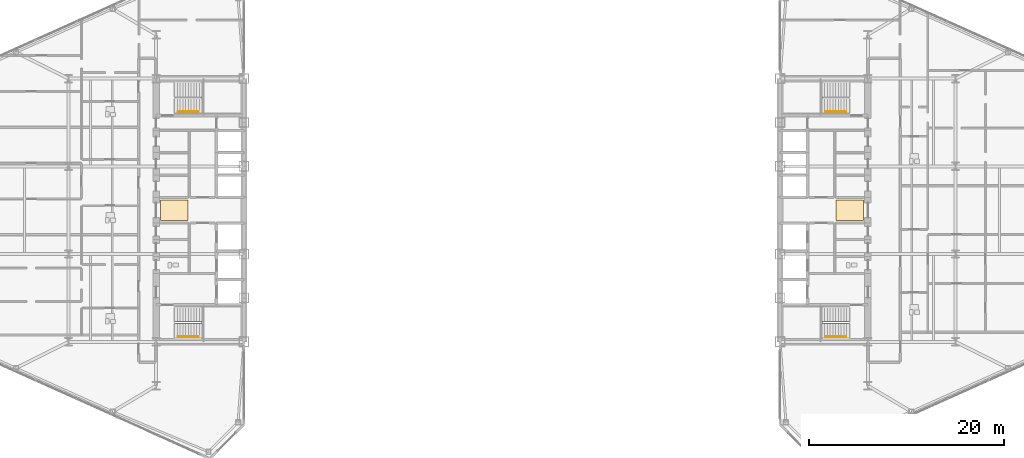
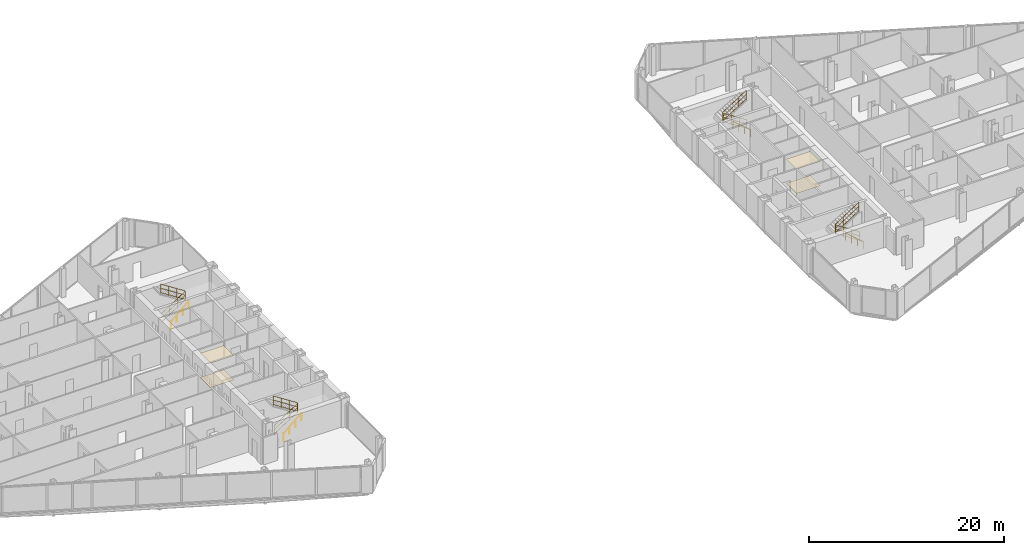
# One storey, part 26 of 27: 8 railings, 4 coverings.
"""IFC4 building model written with IfcOpenShell, lengths in metres."""

from ifc_helpers import new_model, si_unit, direction, frame, origin, origin_2d, place, context, subcontext, project, spatial, polyline, circle, outline, extrude, material, layer, layer_set, type_object, element, save


model = new_model("IFC4")

# Units and contexts
model_context = context("Model", 3, precision=1e-05, world=origin(), true_north=direction((0.0, 1.0)))
body_context = subcontext(model_context, "Body", "Model", "MODEL_VIEW")
ifc_project = project(units=[si_unit("LENGTHUNIT", "METRE"), si_unit("AREAUNIT", "SQUARE_METRE"), si_unit("VOLUMEUNIT", "CUBIC_METRE"), si_unit("PLANEANGLEUNIT", "RADIAN"), si_unit("MASSUNIT", "GRAM", prefix="KILO")], contexts=[model_context])

# Site, building, storey
site_placement = place(None, origin())
site = spatial("IfcSite", under=ifc_project, at=site_placement, CompositionType="ELEMENT")
building_placement = place(site_placement, origin())
building = spatial("IfcBuilding", under=site, at=building_placement, Name="Seokmaru Belvedere", CompositionType="ELEMENT")
storey_placement = place(building_placement, frame((0.0, 0.0, 99.60009765625)))
storey = spatial("IfcBuildingStorey", under=building, at=storey_placement, Name="L26", CompositionType="ELEMENT", Elevation=99.60009765625)

# Coverings
ifc_material_1 = material(Name="Engineered White Oak Timber", Category="wood")
ifc_layer_1 = layer(ifc_material_1, 0.02197265625)
ifc_layer_set_1 = layer_set([ifc_layer_1], Name="Engineered White Oak Timber")
covering_type_1 = type_object("IfcCoveringType", Name="Engineered Oak Residence Floor Finish 22", PredefinedType="FLOORING", material=ifc_layer_set_1)
covering_1_placement = place(storey_placement, origin())
element("IfcCovering", 1, at=covering_1_placement, inside=storey, type_object=covering_type_1, Name="L26 W Foyer Floor Finish", PredefinedType="FLOORING", context=body_context, shape_type="SweptSolid", body=[
    extrude(outline(polyline([(-36.050048828125, -1.050048828125), (-33.25, -1.050048828125), (-33.25, 1.050048828125), (-36.050048828125, 1.050048828125), (-36.050048828125, -1.050048828125)])), origin(), (0.0, 0.0, 1.0), 0.02197265625),
])
covering_2_placement = place(storey_placement, origin())
element("IfcCovering", 2, at=covering_2_placement, inside=storey, type_object=covering_type_1, Name="L26 E Foyer Floor Finish", PredefinedType="FLOORING", context=body_context, shape_type="SweptSolid", body=[
    extrude(outline(polyline([(33.25, -1.050048828125), (36.050048828125, -1.050048828125), (36.050048828125, 1.050048828125), (33.25, 1.050048828125), (33.25, -1.050048828125)])), origin(), (0.0, 0.0, 1.0), 0.02197265625),
])
ifc_material_2 = material(Name="Fire-Rated Gypsum Shaftwall")
ifc_layer_2 = layer(ifc_material_2, 0.02490234375)
ifc_layer_set_2 = layer_set([ifc_layer_2], Name="Fire-Rated Gypsum Shaftwall")
covering_type_2 = type_object("IfcCoveringType", Name="Perforated Acoustic Gypsum Suspended Ceiling 25", PredefinedType="CEILING", material=ifc_layer_set_2)
covering_3_placement = place(storey_placement, frame((0.0, 0.0, 3.02978515625)))
element("IfcCovering", 3, at=covering_3_placement, inside=storey, type_object=covering_type_2, Name="L26 W Lift Foyer Acoustic Ceiling", PredefinedType="CEILING", context=body_context, shape_type="SweptSolid", body=[
    extrude(outline(polyline([(-36.050048828125, -1.050048828125), (-33.25, -1.050048828125), (-33.25, 1.050048828125), (-36.050048828125, 1.050048828125), (-36.050048828125, -1.050048828125)])), origin(), (0.0, 0.0, 1.0), 0.025146484375),
])
covering_4_placement = place(storey_placement, frame((0.0, 0.0, 3.02978515625)))
element("IfcCovering", 4, at=covering_4_placement, inside=storey, type_object=covering_type_2, Name="L26 E Lift Foyer Acoustic Ceiling", PredefinedType="CEILING", context=body_context, shape_type="SweptSolid", body=[
    extrude(outline(polyline([(33.25, -1.050048828125), (36.050048828125, -1.050048828125), (36.050048828125, 1.050048828125), (33.25, 1.050048828125), (33.25, -1.050048828125)])), origin(), (0.0, 0.0, 1.0), 0.025146484375),
])

# Railings
ifc_material_3 = material(Name="Stainless Steel 316", Category="steel")
railing_type_1 = type_object("IfcRailingType", Name="Stainless Steel Wall and Flight Handrail 900", PredefinedType="HANDRAIL", material=ifc_material_3)
for number, where, name in (
    (5, (-34.25, -12.949951171875, 0.0), "L26 Stair ST-W1 Wall Handrail"),
    (6, (-34.25, 10.110107421875, 0.0), "L26 Stair ST-W2 Wall Handrail"),
):
    element("IfcRailing", number, at=place(storey_placement, frame(where)), inside=storey, type_object=railing_type_1, Name=name, PredefinedType="HANDRAIL", context=body_context, shape_type="SweptSolid", body=[
        extrude(circle(Radius=0.02392578125, at=origin_2d()), frame((0.0, 0.0, 0.8759765625), z_axis=(0.759306447245, 0.0, 0.650733216588), x_axis=(0.0, 1.0, 0.0)), (0.0, 0.0, 1.0), 2.765869140625),
        extrude(circle(Radius=0.02099609375, at=origin_2d()), origin(), (0.0, 0.0, 1.0), 0.851806640625),
        extrude(circle(Radius=0.02099609375, at=origin_2d()), frame((0.699951171875, 0.0, 0.599853515625)), (0.0, 0.0, 1.0), 0.851806640625),
        extrude(circle(Radius=0.02099609375, at=origin_2d()), frame((1.400146484375, 0.0, 1.199951171875)), (0.0, 0.0, 1.0), 0.851806640625),
        extrude(circle(Radius=0.02099609375, at=origin_2d()), frame((2.10009765625, 0.0, 1.7998046875)), (0.0, 0.0, 1.0), 0.851806640625),
    ])
for number, where, name in (
    (7, (34.25, -12.949951171875, 0.0), "L26 Stair ST-E1 Wall Handrail"),
    (8, (34.25, 10.110107421875, 0.0), "L26 Stair ST-E2 Wall Handrail"),
):
    element("IfcRailing", number, at=place(storey_placement, frame(where)), inside=storey, type_object=railing_type_1, Name=name, PredefinedType="HANDRAIL", context=body_context, shape_type="SweptSolid", body=[
        extrude(circle(Radius=0.02392578125, at=origin_2d()), frame((0.0, 0.0, 0.8759765625), z_axis=(-0.759306447245, 0.0, 0.650733216588), x_axis=(0.0, -1.0, 0.0)), (0.0, 0.0, 1.0), 2.765869140625),
        extrude(circle(Radius=0.02099609375, at=origin_2d()), origin(), (0.0, 0.0, 1.0), 0.851806640625),
        extrude(circle(Radius=0.02099609375, at=origin_2d()), frame((-0.699951171875, 0.0, 0.599853515625)), (0.0, 0.0, 1.0), 0.851806640625),
        extrude(circle(Radius=0.02099609375, at=origin_2d()), frame((-1.400146484375, 0.0, 1.199951171875)), (0.0, 0.0, 1.0), 0.851806640625),
        extrude(circle(Radius=0.02099609375, at=origin_2d()), frame((-2.10009765625, 0.0, 1.7998046875)), (0.0, 0.0, 1.0), 0.851806640625),
    ])
railing_type_2 = type_object("IfcRailingType", Name="Stair Well and Atrium Steel Guardrail 1200", PredefinedType="GUARDRAIL", material=ifc_material_3)
railing_1_placement = place(storey_placement, frame((-34.60009765625, -11.60009765625, 0.0)))
element("IfcRailing", 9, at=railing_1_placement, inside=storey, type_object=railing_type_2, Name="L26 Stair ST-W1 Inner Well Guardrail", PredefinedType="GUARDRAIL", context=body_context, shape_type="SweptSolid", body=[
    extrude(circle(Radius=0.02392578125, at=origin_2d()), frame((0.0, 0.0, 1.17578125), z_axis=(0.841209454229, 0.0, 0.540709398952), x_axis=(0.0, 1.0, 0.0)), (0.0, 0.0, 1.0), 3.32861328125),
    extrude(circle(Radius=0.02392578125, at=origin_2d()), frame((0.0, 0.0, 0.1201171875), z_axis=(0.841209454229, 0.0, 0.540709398952), x_axis=(0.0, 1.0, 0.0)), (0.0, 0.0, 1.0), 3.32861328125),
    extrude(circle(Radius=0.02392578125, at=origin_2d()), frame((0.0, 0.0, 0.659912109375), z_axis=(0.841209454229, 0.0, 0.540709398952), x_axis=(0.0, 1.0, 0.0)), (0.0, 0.0, 1.0), 3.32861328125),
    extrude(circle(Radius=0.02392578125, at=origin_2d()), frame((2.800048828125, 0.0, 2.9755859375), z_axis=(0.0, 1.0, 0.0), x_axis=(-1.0, 0.0, 0.0)), (0.0, 0.0, 1.0), 0.14013671875),
    extrude(circle(Radius=0.02392578125, at=origin_2d()), frame((2.800048828125, 0.0, 1.919921875), z_axis=(0.0, 1.0, 0.0), x_axis=(-1.0, 0.0, 0.0)), (0.0, 0.0, 1.0), 0.14013671875),
    extrude(circle(Radius=0.02392578125, at=origin_2d()), frame((2.800048828125, 0.0, 2.459716796875), z_axis=(0.0, 1.0, 0.0), x_axis=(-1.0, 0.0, 0.0)), (0.0, 0.0, 1.0), 0.14013671875),
    extrude(circle(Radius=0.02392578125, at=origin_2d()), frame((2.800048828125, 0.14013671875, 2.9755859375), z_axis=(-0.841176092368, 0.0, 0.540761298198), x_axis=(0.0, -1.0, 0.0)), (0.0, 0.0, 1.0), 3.32861328125),
    extrude(circle(Radius=0.02392578125, at=origin_2d()), frame((2.800048828125, 0.14013671875, 1.919921875), z_axis=(-0.841176092368, 0.0, 0.540761298198), x_axis=(0.0, -1.0, 0.0)), (0.0, 0.0, 1.0), 3.32861328125),
    extrude(circle(Radius=0.02392578125, at=origin_2d()), frame((2.800048828125, 0.14013671875, 2.459716796875), z_axis=(-0.841176092368, 0.0, 0.540761298198), x_axis=(0.0, -1.0, 0.0)), (0.0, 0.0, 1.0), 3.32861328125),
    extrude(circle(Radius=0.02099609375, at=origin_2d()), origin(), (0.0, 0.0, 1.0), 1.15185546875),
    extrude(circle(Radius=0.02099609375, at=origin_2d()), frame((0.933349609375, 0.0, 0.599853515625)), (0.0, 0.0, 1.0), 1.15185546875),
    extrude(circle(Radius=0.02099609375, at=origin_2d()), frame((1.86669921875, 0.0, 1.199951171875)), (0.0, 0.0, 1.0), 1.15185546875),
    extrude(circle(Radius=0.02099609375, at=origin_2d()), frame((2.800048828125, 0.0, 1.7998046875)), (0.0, 0.0, 1.0), 1.15185546875),
    extrude(circle(Radius=0.02099609375, at=origin_2d()), frame((2.800048828125, 0.14013671875, 1.7998046875)), (0.0, 0.0, 1.0), 1.15185546875),
    extrude(circle(Radius=0.02099609375, at=origin_2d()), frame((1.86669921875, 0.14013671875, 2.39990234375)), (0.0, 0.0, 1.0), 1.15185546875),
    extrude(circle(Radius=0.02099609375, at=origin_2d()), frame((0.933349609375, 0.14013671875, 2.999755859375)), (0.0, 0.0, 1.0), 1.15185546875),
    extrude(circle(Radius=0.02099609375, at=origin_2d()), frame((0.0, 0.14013671875, 3.599853515625)), (0.0, 0.0, 1.0), 1.15185546875),
])
railing_2_placement = place(storey_placement, frame((-34.60009765625, 11.4599609375, 0.0)))
element("IfcRailing", 10, at=railing_2_placement, inside=storey, type_object=railing_type_2, Name="L26 Stair ST-W2 Inner Well Guardrail", PredefinedType="GUARDRAIL", context=body_context, shape_type="SweptSolid", body=[
    extrude(circle(Radius=0.02392578125, at=origin_2d()), frame((0.0, 0.0, 1.17578125), z_axis=(0.841209454229, 0.0, 0.540709398952), x_axis=(0.0, 1.0, 0.0)), (0.0, 0.0, 1.0), 3.32861328125),
    extrude(circle(Radius=0.02392578125, at=origin_2d()), frame((0.0, 0.0, 0.1201171875), z_axis=(0.841209454229, 0.0, 0.540709398952), x_axis=(0.0, 1.0, 0.0)), (0.0, 0.0, 1.0), 3.32861328125),
    extrude(circle(Radius=0.02392578125, at=origin_2d()), frame((0.0, 0.0, 0.659912109375), z_axis=(0.841209454229, 0.0, 0.540709398952), x_axis=(0.0, 1.0, 0.0)), (0.0, 0.0, 1.0), 3.32861328125),
    extrude(circle(Radius=0.02392578125, at=origin_2d()), frame((2.800048828125, 0.0, 2.9755859375), z_axis=(0.0, 1.0, 0.0), x_axis=(-1.0, 0.0, 0.0)), (0.0, 0.0, 1.0), 0.14013671875),
    extrude(circle(Radius=0.02392578125, at=origin_2d()), frame((2.800048828125, 0.0, 1.919921875), z_axis=(0.0, 1.0, 0.0), x_axis=(-1.0, 0.0, 0.0)), (0.0, 0.0, 1.0), 0.14013671875),
    extrude(circle(Radius=0.02392578125, at=origin_2d()), frame((2.800048828125, 0.0, 2.459716796875), z_axis=(0.0, 1.0, 0.0), x_axis=(-1.0, 0.0, 0.0)), (0.0, 0.0, 1.0), 0.14013671875),
    extrude(circle(Radius=0.02392578125, at=origin_2d()), frame((2.800048828125, 0.14013671875, 2.9755859375), z_axis=(-0.841176092368, 0.0, 0.540761298198), x_axis=(0.0, -1.0, 0.0)), (0.0, 0.0, 1.0), 3.32861328125),
    extrude(circle(Radius=0.02392578125, at=origin_2d()), frame((2.800048828125, 0.14013671875, 1.919921875), z_axis=(-0.841176092368, 0.0, 0.540761298198), x_axis=(0.0, -1.0, 0.0)), (0.0, 0.0, 1.0), 3.32861328125),
    extrude(circle(Radius=0.02392578125, at=origin_2d()), frame((2.800048828125, 0.14013671875, 2.459716796875), z_axis=(-0.841176092368, 0.0, 0.540761298198), x_axis=(0.0, -1.0, 0.0)), (0.0, 0.0, 1.0), 3.32861328125),
    extrude(circle(Radius=0.02099609375, at=origin_2d()), origin(), (0.0, 0.0, 1.0), 1.15185546875),
    extrude(circle(Radius=0.02099609375, at=origin_2d()), frame((0.933349609375, 0.0, 0.599853515625)), (0.0, 0.0, 1.0), 1.15185546875),
    extrude(circle(Radius=0.02099609375, at=origin_2d()), frame((1.86669921875, 0.0, 1.199951171875)), (0.0, 0.0, 1.0), 1.15185546875),
    extrude(circle(Radius=0.02099609375, at=origin_2d()), frame((2.800048828125, 0.0, 1.7998046875)), (0.0, 0.0, 1.0), 1.15185546875),
    extrude(circle(Radius=0.02099609375, at=origin_2d()), frame((2.800048828125, 0.14013671875, 1.7998046875)), (0.0, 0.0, 1.0), 1.15185546875),
    extrude(circle(Radius=0.02099609375, at=origin_2d()), frame((1.86669921875, 0.14013671875, 2.39990234375)), (0.0, 0.0, 1.0), 1.15185546875),
    extrude(circle(Radius=0.02099609375, at=origin_2d()), frame((0.933349609375, 0.14013671875, 2.999755859375)), (0.0, 0.0, 1.0), 1.15185546875),
    extrude(circle(Radius=0.02099609375, at=origin_2d()), frame((0.0, 0.14013671875, 3.599853515625)), (0.0, 0.0, 1.0), 1.15185546875),
])
railing_3_placement = place(storey_placement, frame((34.60009765625, -11.60009765625, 0.0)))
element("IfcRailing", 11, at=railing_3_placement, inside=storey, type_object=railing_type_2, Name="L26 Stair ST-E1 Inner Well Guardrail", PredefinedType="GUARDRAIL", context=body_context, shape_type="SweptSolid", body=[
    extrude(circle(Radius=0.02392578125, at=origin_2d()), frame((0.0, 0.0, 1.17578125), z_axis=(-0.841209454229, 0.0, 0.540709398952), x_axis=(0.0, -1.0, 0.0)), (0.0, 0.0, 1.0), 3.32861328125),
    extrude(circle(Radius=0.02392578125, at=origin_2d()), frame((0.0, 0.0, 0.1201171875), z_axis=(-0.841209454229, 0.0, 0.540709398952), x_axis=(0.0, -1.0, 0.0)), (0.0, 0.0, 1.0), 3.32861328125),
    extrude(circle(Radius=0.02392578125, at=origin_2d()), frame((0.0, 0.0, 0.659912109375), z_axis=(-0.841209454229, 0.0, 0.540709398952), x_axis=(0.0, -1.0, 0.0)), (0.0, 0.0, 1.0), 3.32861328125),
    extrude(circle(Radius=0.02392578125, at=origin_2d()), frame((-2.800048828125, 0.0, 2.9755859375), z_axis=(0.0, 1.0, 0.0), x_axis=(-1.0, 0.0, 0.0)), (0.0, 0.0, 1.0), 0.14013671875),
    extrude(circle(Radius=0.02392578125, at=origin_2d()), frame((-2.800048828125, 0.0, 1.919921875), z_axis=(0.0, 1.0, 0.0), x_axis=(-1.0, 0.0, 0.0)), (0.0, 0.0, 1.0), 0.14013671875),
    extrude(circle(Radius=0.02392578125, at=origin_2d()), frame((-2.800048828125, 0.0, 2.459716796875), z_axis=(0.0, 1.0, 0.0), x_axis=(-1.0, 0.0, 0.0)), (0.0, 0.0, 1.0), 0.14013671875),
    extrude(circle(Radius=0.02392578125, at=origin_2d()), frame((-2.800048828125, 0.14013671875, 2.9755859375), z_axis=(0.841176092368, 0.0, 0.540761298198), x_axis=(0.0, 1.0, 0.0)), (0.0, 0.0, 1.0), 3.32861328125),
    extrude(circle(Radius=0.02392578125, at=origin_2d()), frame((-2.800048828125, 0.14013671875, 1.919921875), z_axis=(0.841176092368, 0.0, 0.540761298198), x_axis=(0.0, 1.0, 0.0)), (0.0, 0.0, 1.0), 3.32861328125),
    extrude(circle(Radius=0.02392578125, at=origin_2d()), frame((-2.800048828125, 0.14013671875, 2.459716796875), z_axis=(0.841176092368, 0.0, 0.540761298198), x_axis=(0.0, 1.0, 0.0)), (0.0, 0.0, 1.0), 3.32861328125),
    extrude(circle(Radius=0.02099609375, at=origin_2d()), origin(), (0.0, 0.0, 1.0), 1.15185546875),
    extrude(circle(Radius=0.02099609375, at=origin_2d()), frame((-0.933349609375, 0.0, 0.599853515625)), (0.0, 0.0, 1.0), 1.15185546875),
    extrude(circle(Radius=0.02099609375, at=origin_2d()), frame((-1.86669921875, 0.0, 1.199951171875)), (0.0, 0.0, 1.0), 1.15185546875),
    extrude(circle(Radius=0.02099609375, at=origin_2d()), frame((-2.800048828125, 0.0, 1.7998046875)), (0.0, 0.0, 1.0), 1.15185546875),
    extrude(circle(Radius=0.02099609375, at=origin_2d()), frame((-2.800048828125, 0.14013671875, 1.7998046875)), (0.0, 0.0, 1.0), 1.15185546875),
    extrude(circle(Radius=0.02099609375, at=origin_2d()), frame((-1.86669921875, 0.14013671875, 2.39990234375)), (0.0, 0.0, 1.0), 1.15185546875),
    extrude(circle(Radius=0.02099609375, at=origin_2d()), frame((-0.933349609375, 0.14013671875, 2.999755859375)), (0.0, 0.0, 1.0), 1.15185546875),
    extrude(circle(Radius=0.02099609375, at=origin_2d()), frame((0.0, 0.14013671875, 3.599853515625)), (0.0, 0.0, 1.0), 1.15185546875),
])
railing_4_placement = place(storey_placement, frame((34.60009765625, 11.4599609375, 0.0)))
element("IfcRailing", 12, at=railing_4_placement, inside=storey, type_object=railing_type_2, Name="L26 Stair ST-E2 Inner Well Guardrail", PredefinedType="GUARDRAIL", context=body_context, shape_type="SweptSolid", body=[
    extrude(circle(Radius=0.02392578125, at=origin_2d()), frame((0.0, 0.0, 1.17578125), z_axis=(-0.841209454229, 0.0, 0.540709398952), x_axis=(0.0, -1.0, 0.0)), (0.0, 0.0, 1.0), 3.32861328125),
    extrude(circle(Radius=0.02392578125, at=origin_2d()), frame((0.0, 0.0, 0.1201171875), z_axis=(-0.841209454229, 0.0, 0.540709398952), x_axis=(0.0, -1.0, 0.0)), (0.0, 0.0, 1.0), 3.32861328125),
    extrude(circle(Radius=0.02392578125, at=origin_2d()), frame((0.0, 0.0, 0.659912109375), z_axis=(-0.841209454229, 0.0, 0.540709398952), x_axis=(0.0, -1.0, 0.0)), (0.0, 0.0, 1.0), 3.32861328125),
    extrude(circle(Radius=0.02392578125, at=origin_2d()), frame((-2.800048828125, 0.0, 2.9755859375), z_axis=(0.0, 1.0, 0.0), x_axis=(-1.0, 0.0, 0.0)), (0.0, 0.0, 1.0), 0.14013671875),
    extrude(circle(Radius=0.02392578125, at=origin_2d()), frame((-2.800048828125, 0.0, 1.919921875), z_axis=(0.0, 1.0, 0.0), x_axis=(-1.0, 0.0, 0.0)), (0.0, 0.0, 1.0), 0.14013671875),
    extrude(circle(Radius=0.02392578125, at=origin_2d()), frame((-2.800048828125, 0.0, 2.459716796875), z_axis=(0.0, 1.0, 0.0), x_axis=(-1.0, 0.0, 0.0)), (0.0, 0.0, 1.0), 0.14013671875),
    extrude(circle(Radius=0.02392578125, at=origin_2d()), frame((-2.800048828125, 0.14013671875, 2.9755859375), z_axis=(0.841176092368, 0.0, 0.540761298198), x_axis=(0.0, 1.0, 0.0)), (0.0, 0.0, 1.0), 3.32861328125),
    extrude(circle(Radius=0.02392578125, at=origin_2d()), frame((-2.800048828125, 0.14013671875, 1.919921875), z_axis=(0.841176092368, 0.0, 0.540761298198), x_axis=(0.0, 1.0, 0.0)), (0.0, 0.0, 1.0), 3.32861328125),
    extrude(circle(Radius=0.02392578125, at=origin_2d()), frame((-2.800048828125, 0.14013671875, 2.459716796875), z_axis=(0.841176092368, 0.0, 0.540761298198), x_axis=(0.0, 1.0, 0.0)), (0.0, 0.0, 1.0), 3.32861328125),
    extrude(circle(Radius=0.02099609375, at=origin_2d()), origin(), (0.0, 0.0, 1.0), 1.15185546875),
    extrude(circle(Radius=0.02099609375, at=origin_2d()), frame((-0.933349609375, 0.0, 0.599853515625)), (0.0, 0.0, 1.0), 1.15185546875),
    extrude(circle(Radius=0.02099609375, at=origin_2d()), frame((-1.86669921875, 0.0, 1.199951171875)), (0.0, 0.0, 1.0), 1.15185546875),
    extrude(circle(Radius=0.02099609375, at=origin_2d()), frame((-2.800048828125, 0.0, 1.7998046875)), (0.0, 0.0, 1.0), 1.15185546875),
    extrude(circle(Radius=0.02099609375, at=origin_2d()), frame((-2.800048828125, 0.14013671875, 1.7998046875)), (0.0, 0.0, 1.0), 1.15185546875),
    extrude(circle(Radius=0.02099609375, at=origin_2d()), frame((-1.86669921875, 0.14013671875, 2.39990234375)), (0.0, 0.0, 1.0), 1.15185546875),
    extrude(circle(Radius=0.02099609375, at=origin_2d()), frame((-0.933349609375, 0.14013671875, 2.999755859375)), (0.0, 0.0, 1.0), 1.15185546875),
    extrude(circle(Radius=0.02099609375, at=origin_2d()), frame((0.0, 0.14013671875, 3.599853515625)), (0.0, 0.0, 1.0), 1.15185546875),
])

save(model, "model.ifc")
